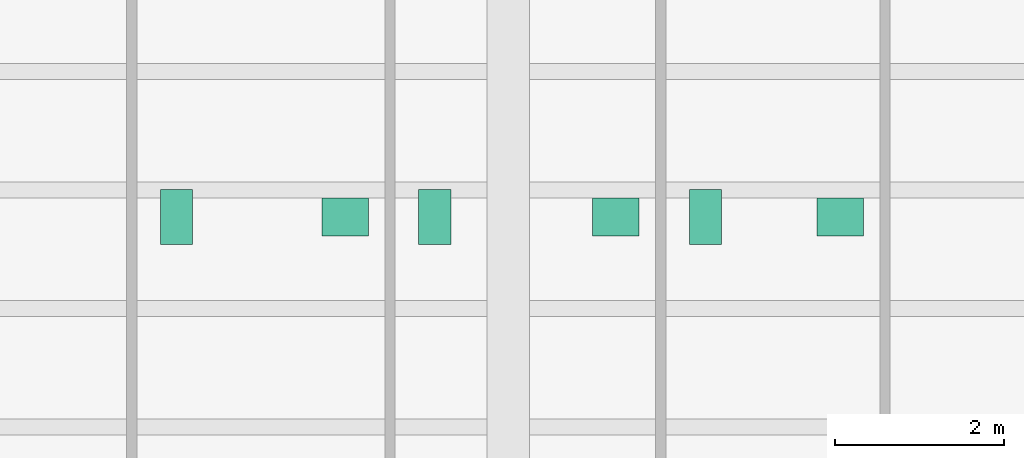
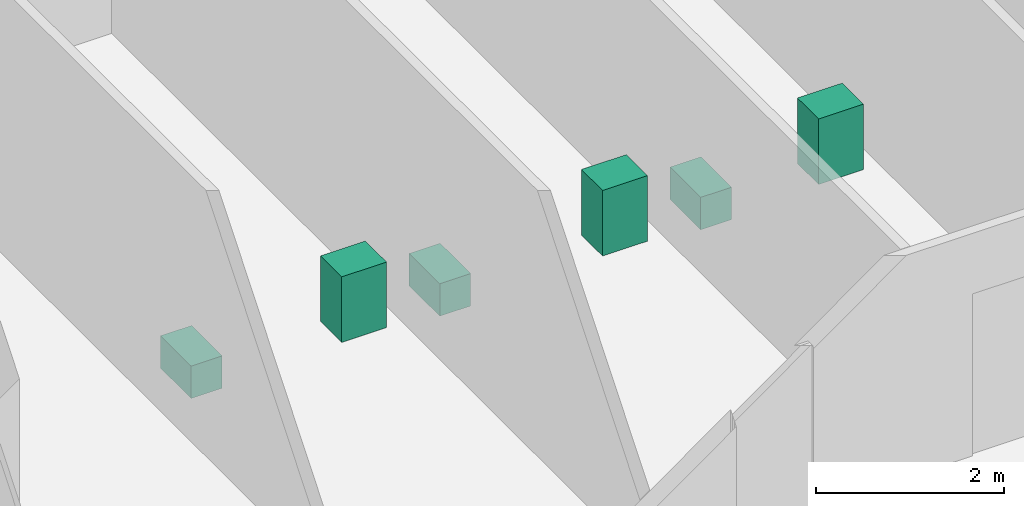
# One storey, part 13 of 13: 6 sanitary terminals.
"""IFC4 building model written with IfcOpenShell, lengths in metres."""

from ifc_helpers import new_model, si_unit, direction, frame, origin, origin_2d, place, context, subcontext, project, spatial, rectangle, extrude, material, type_object, element, save


model = new_model("IFC4")

# Units and contexts
model_context = context("Model", 3, precision=1e-05, world=origin(), true_north=direction((0.0, 1.0)))
body_context = subcontext(model_context, "Body", "Model", "MODEL_VIEW")
ifc_project = project(units=[si_unit("LENGTHUNIT", "METRE"), si_unit("AREAUNIT", "SQUARE_METRE"), si_unit("VOLUMEUNIT", "CUBIC_METRE"), si_unit("PLANEANGLEUNIT", "RADIAN"), si_unit("MASSUNIT", "GRAM", prefix="KILO")], contexts=[model_context])

# Site, building, storey
site_placement = place(None, origin())
site = spatial("IfcSite", under=ifc_project, at=site_placement, CompositionType="ELEMENT")
building_placement = place(site_placement, origin())
building = spatial("IfcBuilding", under=site, at=building_placement, Name="Kranthara Brick Stack", CompositionType="ELEMENT")
storey_placement = place(building_placement, frame((0.0, 0.0, 43.800048828125)))
storey = spatial("IfcBuildingStorey", under=building, at=storey_placement, Name="L10", CompositionType="ELEMENT", Elevation=43.800048828125)

# Sanitary terminals
ifc_material_1 = material(Name="Vitreous china sanitary porcelain", Category="other")
sanitary_terminal_type_1 = type_object("IfcSanitaryTerminalType", Name="SAN-BASIN", PredefinedType="WASHHANDBASIN", material=ifc_material_1)
for number, where, z_axis, x_axis, name in (
    (1, (26.070068359375, 29.985107421875, 0.0), (0.0, 0.0, 1.0), (1.0, 0.0, 0.0), "L10 Washbasin 28"),
    (2, (29.27001953125, 29.985107421875, 0.0), (0.0, 0.0, 1.0), (1.0, 0.0, 0.0), "L10 Washbasin 29"),
    (3, (31.919921875, 29.985107421875, 0.0), (0.0, 0.0, 1.0), (1.0, 0.0, 0.0), "L10 Washbasin 30"),
):
    element("IfcSanitaryTerminal", number, at=place(storey_placement, frame(where, z_axis=z_axis, x_axis=x_axis)), inside=storey, type_object=sanitary_terminal_type_1, Name=name, PredefinedType="WASHHANDBASIN", context=body_context, shape_type="SweptSolid", body=[
        extrude(rectangle(XDim=0.550048828125, YDim=0.449951171875, at=origin_2d()), origin(), (0.0, 0.0, 1.0), 0.85009765625),
    ])
ifc_material_2 = material(Name="Vitreous china sanitary porcelain", Category="other")
sanitary_terminal_type_2 = type_object("IfcSanitaryTerminalType", Name="SAN-WC-PAN", PredefinedType="TOILETPAN", material=ifc_material_2)
for number, where, z_axis, x_axis, name in (
    (4, (24.080078125, 29.985107421875, 0.0), (0.0, 0.0, 1.0), (1.0, 0.0, 0.0), "L10 WC Pan 28"),
    (5, (27.1298828125, 29.985107421875, 0.0), (0.0, 0.0, 1.0), (1.0, 0.0, 0.0), "L10 WC Pan 29"),
    (6, (30.330078125, 29.985107421875, 0.0), (0.0, 0.0, 1.0), (1.0, 0.0, 0.0), "L10 WC Pan 30"),
):
    element("IfcSanitaryTerminal", number, at=place(storey_placement, frame(where, z_axis=z_axis, x_axis=x_axis)), inside=storey, type_object=sanitary_terminal_type_2, Name=name, PredefinedType="TOILETPAN", context=body_context, shape_type="SweptSolid", body=[
        extrude(rectangle(XDim=0.3798828125, YDim=0.64990234375, at=origin_2d()), origin(), (0.0, 0.0, 1.0), 0.419921875),
    ])

save(model, "model.ifc")
